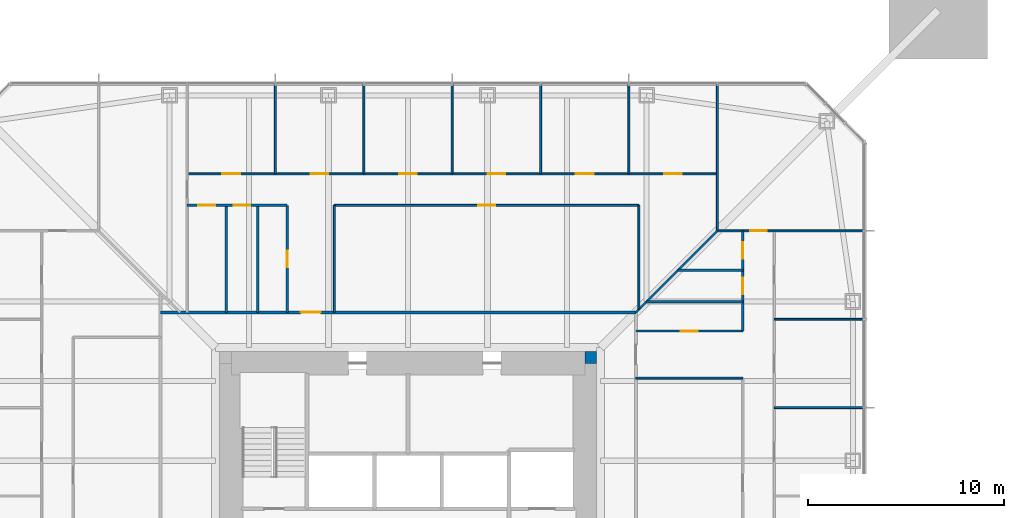
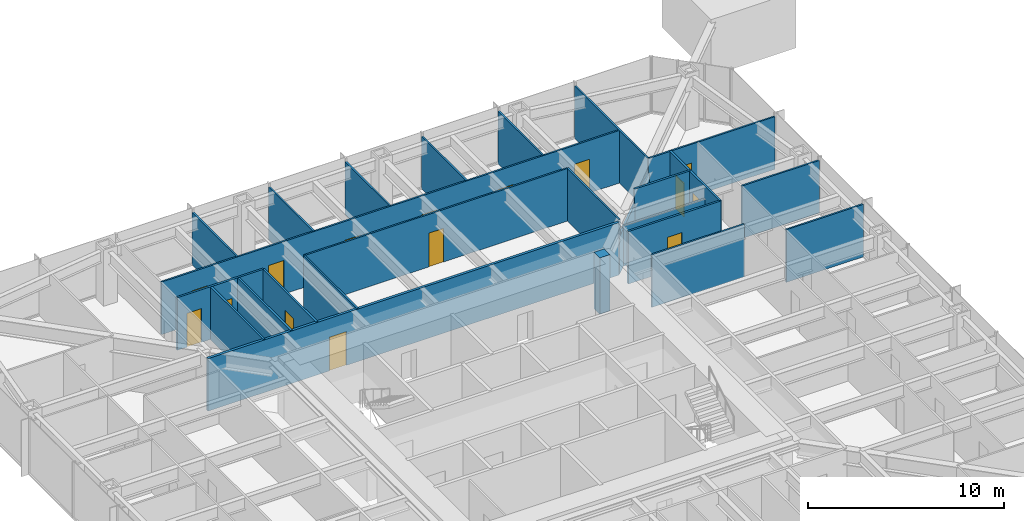
# One storey, part 17 of 26: 25 walls, 15 doors, 15 openings.
"""IFC4 building model written with IfcOpenShell, lengths in metres."""

from ifc_helpers import new_model, si_unit, direction, frame, frame_2d, origin, place, context, subcontext, project, spatial, rectangle, extrude, material, layer, layer_set, type_object, element, fill, save


model = new_model("IFC4")

# Units and contexts
model_context = context("Model", 3, precision=1e-05, world=origin(), true_north=direction((0.0, 1.0)))
body_context = subcontext(model_context, "Body", "Model", "MODEL_VIEW")
ifc_project = project(units=[si_unit("LENGTHUNIT", "METRE"), si_unit("AREAUNIT", "SQUARE_METRE"), si_unit("VOLUMEUNIT", "CUBIC_METRE"), si_unit("PLANEANGLEUNIT", "RADIAN"), si_unit("MASSUNIT", "GRAM", prefix="KILO")], contexts=[model_context])

# Site, building, storey
site_placement = place(None, origin())
site = spatial("IfcSite", under=ifc_project, at=site_placement, CompositionType="ELEMENT")
building_placement = place(site_placement, origin())
building = spatial("IfcBuilding", under=site, at=building_placement, Name="Iwan Alto Co-Living Towers", CompositionType="ELEMENT")
storey_placement = place(building_placement, frame((0.0, 0.0, 46.5)))
storey = spatial("IfcBuildingStorey", under=building, at=storey_placement, Name="L12", CompositionType="ELEMENT", Elevation=46.5)

# Wall, opening, door
ifc_material_1 = material(Name="Gypsum board")
ifc_layer_1 = layer(ifc_material_1, 0.02490234375, Name="Board", Category="Finish")
ifc_material_2 = material(Name="Steel ASTM A1003 ST33H cold-formed studs", Category="steel")
ifc_layer_2 = layer(ifc_material_2, 0.10009765625, Name="Studs", Category="Framing")
ifc_layer_3 = layer(ifc_material_1, 0.02490234375, Name="Board", Category="Finish")
ifc_layer_set_1 = layer_set([ifc_layer_1, ifc_layer_2, ifc_layer_3], Name="CORRIDOR WALL 150")
wall_type_1 = type_object("IfcWallType", Name="CORRIDOR WALL 150", PredefinedType="PARTITIONING", material=ifc_layer_set_1)
wall_1_placement = place(storey_placement, frame((-12.60009765625, 11.60009765625, 0.0), z_axis=(0.0, 0.0, 1.0), x_axis=(1.0, 0.0, 0.0)))
wall_1 = element("IfcWall", 1, at=wall_1_placement, inside=storey, type_object=wall_type_1, Name="Partition L12", PredefinedType="PARTITIONING", context=body_context, shape_type="SweptSolid", body=[
    extrude(rectangle(XDim=24.2001953125, YDim=0.14990234375, at=frame_2d((12.10009765625, 0.0))), origin(), (0.0, 0.0, 1.0), 3.27001953125),
])
opening_1_placement = place(wall_1_placement, frame((7.14990234375, 0.0, 0.0)))
opening_1 = element("IfcOpeningElement", 2, at=opening_1_placement, cuts=wall_1, Name="Opening D3", PredefinedType="OPENING", context=body_context, shape_type="SweptSolid", body=[
    extrude(rectangle(XDim=1.0, YDim=2.10009765625, at=frame_2d((0.5, 1.050048828125))), frame((0.0, 0.0849609375, 0.0), z_axis=(0.0, -1.0, 0.0), x_axis=(1.0, 0.0, 0.0)), (0.0, 0.0, 1.0), 0.169921875),
])
ifc_material_3 = material(Name="Steel frame with timber leaf", Category="steel")
door_type_1 = type_object("IfcDoorType", Name="FLAT ENTRANCE DOOR FD30S 1000X2100", OperationType="SINGLE_SWING_LEFT", PredefinedType="DOOR", material=ifc_material_3)
door_1_placement = place(opening_1_placement, origin())
door_1 = element("IfcDoor", 3, at=door_1_placement, inside=storey, type_object=door_type_1, Name="Cluster lounge and shared kitchen door L12", OperationType="SINGLE_SWING_LEFT", OverallHeight=2.10009765625, OverallWidth=1.0, PredefinedType="DOOR", context=body_context, shape_type="SweptSolid", body=[
    extrude(rectangle(XDim=1.0, YDim=2.10009765625, at=frame_2d((0.5, 1.050048828125))), frame((0.0, 0.02490234375, 0.0), z_axis=(0.0, -1.0, 0.0), x_axis=(1.0, 0.0, 0.0)), (0.0, 0.0, 1.0), 0.050048828125),
])
fill(opening_1, door_1)

# Walls
ifc_layer_4 = layer(ifc_material_1, 0.012451171875, Name="Board", Category="Finish")
ifc_layer_5 = layer(ifc_material_2, 0.074951171875, Name="Studs", Category="Framing")
ifc_layer_6 = layer(ifc_material_1, 0.012451171875, Name="Board", Category="Finish")
ifc_layer_set_2 = layer_set([ifc_layer_4, ifc_layer_5, ifc_layer_6], Name="PARTITION 100")
wall_type_2 = type_object("IfcWallType", Name="PARTITION 100", PredefinedType="PARTITIONING", material=ifc_layer_set_2)
wall_2_placement = place(storey_placement, frame((18.64990234375, 6.75, 0.0), z_axis=(0.0, 0.0, 1.0), x_axis=(1.0, 0.0, 0.0)))
element("IfcWall", 4, at=wall_2_placement, inside=storey, type_object=wall_type_2, Name="Partition L12", PredefinedType="PARTITIONING", context=body_context, shape_type="SweptSolid", body=[
    extrude(rectangle(XDim=4.5400390625, YDim=0.10009765625, at=frame_2d((2.27001953125, 0.0))), origin(), (0.0, 0.0, 1.0), 3.27001953125),
])
wall_3_placement = place(storey_placement, frame((11.60009765625, 8.25, 0.0), z_axis=(0.0, 0.0, 1.0), x_axis=(1.0, 0.0, 0.0)))
element("IfcWall", 5, at=wall_3_placement, inside=storey, type_object=wall_type_2, Name="Partition L12", PredefinedType="PARTITIONING", context=body_context, shape_type="SweptSolid", body=[
    extrude(rectangle(XDim=5.449951171875, YDim=0.10009765625, at=frame_2d((2.72509765625, 0.0))), origin(), (0.0, 0.0, 1.0), 3.27001953125),
])
wall_4_placement = place(storey_placement, frame((18.64990234375, 11.25, 0.0), z_axis=(0.0, 0.0, 1.0), x_axis=(1.0, 0.0, 0.0)))
element("IfcWall", 6, at=wall_4_placement, inside=storey, type_object=wall_type_2, Name="Partition L12", PredefinedType="PARTITIONING", context=body_context, shape_type="SweptSolid", body=[
    extrude(rectangle(XDim=4.5400390625, YDim=0.10009765625, at=frame_2d((2.27001953125, 0.0))), origin(), (0.0, 0.0, 1.0), 3.27001953125),
])

# Wall, opening, door
wall_5_placement = place(storey_placement, frame((15.75, 15.75, 0.0), z_axis=(0.0, 0.0, 1.0), x_axis=(1.0, 0.0, 0.0)))
wall_5 = element("IfcWall", 7, at=wall_5_placement, inside=storey, type_object=wall_type_2, Name="Partition L12", PredefinedType="PARTITIONING", context=body_context, shape_type="SweptSolid", body=[
    extrude(rectangle(XDim=7.43994140625, YDim=0.10009765625, at=frame_2d((3.719970703125, 0.0))), origin(), (0.0, 0.0, 1.0), 3.27001953125),
])
opening_2_placement = place(wall_5_placement, frame((1.675048828125, 0.0, 0.0)))
opening_2 = element("IfcOpeningElement", 8, at=opening_2_placement, cuts=wall_5, Name="Opening D2", PredefinedType="OPENING", context=body_context, shape_type="SweptSolid", body=[
    extrude(rectangle(XDim=0.85009765625, YDim=2.10009765625, at=frame_2d((0.425048828125, 1.050048828125))), frame((0.0, 0.06005859375, 0.0), z_axis=(0.0, -1.0, 0.0), x_axis=(1.0, 0.0, 0.0)), (0.0, 0.0, 1.0), 0.1201171875),
])
ifc_material_4 = material(Name="Timber leaf in steel frame", Category="steel")
door_type_2 = type_object("IfcDoorType", Name="ROOM DOOR 850X2100", OperationType="SINGLE_SWING_LEFT", PredefinedType="DOOR", material=ifc_material_4)
door_2_placement = place(opening_2_placement, frame((0.85009765625, 0.0, 0.0), z_axis=(0.0, 0.0, 1.0), x_axis=(-1.0, 0.0, 0.0)))
door_2 = element("IfcDoor", 9, at=door_2_placement, inside=storey, type_object=door_type_2, Name="Shared kitchen and lounge door L12", OperationType="SINGLE_SWING_RIGHT", OverallHeight=2.10009765625, OverallWidth=0.85009765625, PredefinedType="DOOR", context=body_context, shape_type="SweptSolid", body=[
    extrude(rectangle(XDim=0.85009765625, YDim=2.10009765625, at=frame_2d((0.425048828125, 1.050048828125))), frame((0.0, 0.02490234375, 0.0), z_axis=(0.0, -1.0, 0.0), x_axis=(1.0, 0.0, 0.0)), (0.0, 0.0, 1.0), 0.050048828125),
])
fill(opening_2, door_2)

wall_6_placement = place(storey_placement, frame((-3.75, 17.050048828125, 0.0), z_axis=(0.0, 0.0, 1.0), x_axis=(1.0, 0.0, 0.0)))
wall_6 = element("IfcWall", 10, at=wall_6_placement, inside=storey, type_object=wall_type_2, Name="Partition L12", PredefinedType="PARTITIONING", context=body_context, shape_type="SweptSolid", body=[
    extrude(rectangle(XDim=15.510009765625, YDim=0.10009765625, at=frame_2d((7.7548828125, 0.0))), origin(), (0.0, 0.0, 1.0), 3.27001953125),
])
opening_3_placement = place(wall_6_placement, frame((7.330078125, 0.0, 0.0)))
opening_3 = element("IfcOpeningElement", 11, at=opening_3_placement, cuts=wall_6, Name="Opening D2", PredefinedType="OPENING", context=body_context, shape_type="SweptSolid", body=[
    extrude(rectangle(XDim=0.85009765625, YDim=2.10009765625, at=frame_2d((0.425048828125, 1.050048828125))), frame((0.0, 0.06005859375, 0.0), z_axis=(0.0, -1.0, 0.0), x_axis=(1.0, 0.0, 0.0)), (0.0, 0.0, 1.0), 0.1201171875),
])
door_3_placement = place(opening_3_placement, frame((0.85009765625, 0.0, 0.0), z_axis=(0.0, 0.0, 1.0), x_axis=(-1.0, 0.0, 0.0)))
door_3 = element("IfcDoor", 12, at=door_3_placement, inside=storey, type_object=door_type_2, Name="Study lounge door L12", OperationType="SINGLE_SWING_RIGHT", OverallHeight=2.10009765625, OverallWidth=0.85009765625, PredefinedType="DOOR", context=body_context, shape_type="SweptSolid", body=[
    extrude(rectangle(XDim=0.85009765625, YDim=2.10009765625, at=frame_2d((0.425048828125, 1.050048828125))), frame((0.0, 0.02490234375, 0.0), z_axis=(0.0, -1.0, 0.0), x_axis=(1.0, 0.0, 0.0)), (0.0, 0.0, 1.0), 0.050048828125),
])
fill(opening_3, door_3)

# Wall, openings, doors
wall_7_placement = place(storey_placement, frame((-11.25, 18.64990234375, 0.0), z_axis=(0.0, 0.0, 1.0), x_axis=(1.0, 0.0, 0.0)))
wall_7 = element("IfcWall", 13, at=wall_7_placement, inside=storey, type_object=wall_type_2, Name="Partition L12", PredefinedType="PARTITIONING", context=body_context, shape_type="SweptSolid", body=[
    extrude(rectangle(XDim=27.0, YDim=0.10009765625, at=frame_2d((13.5, 0.0))), origin(), (0.0, 0.0, 1.0), 3.27001953125),
])
opening_4_placement = place(wall_7_placement, frame((24.300048828125, 0.0, 0.0)))
opening_4 = element("IfcOpeningElement", 14, at=opening_4_placement, cuts=wall_7, Name="Opening D1", PredefinedType="OPENING", context=body_context, shape_type="SweptSolid", body=[
    extrude(rectangle(XDim=0.89990234375, YDim=2.10009765625, at=frame_2d((0.449951171875, 1.050048828125))), frame((0.0, 0.06005859375, 0.0), z_axis=(0.0, -1.0, 0.0), x_axis=(1.0, 0.0, 0.0)), (0.0, 0.0, 1.0), 0.1201171875),
])
opening_5_placement = place(wall_7_placement, frame((19.800048828125, 0.0, 0.0)))
opening_5 = element("IfcOpeningElement", 15, at=opening_5_placement, cuts=wall_7, Name="Opening D1", PredefinedType="OPENING", context=body_context, shape_type="SweptSolid", body=[
    extrude(rectangle(XDim=0.89990234375, YDim=2.10009765625, at=frame_2d((0.449951171875, 1.050048828125))), frame((0.0, 0.06005859375, 0.0), z_axis=(0.0, -1.0, 0.0), x_axis=(1.0, 0.0, 0.0)), (0.0, 0.0, 1.0), 0.1201171875),
])
opening_6_placement = place(wall_7_placement, frame((15.300048828125, 0.0, 0.0)))
opening_6 = element("IfcOpeningElement", 16, at=opening_6_placement, cuts=wall_7, Name="Opening D1", PredefinedType="OPENING", context=body_context, shape_type="SweptSolid", body=[
    extrude(rectangle(XDim=0.89990234375, YDim=2.10009765625, at=frame_2d((0.449951171875, 1.050048828125))), frame((0.0, 0.06005859375, 0.0), z_axis=(0.0, -1.0, 0.0), x_axis=(1.0, 0.0, 0.0)), (0.0, 0.0, 1.0), 0.1201171875),
])
opening_7_placement = place(wall_7_placement, frame((10.800048828125, 0.0, 0.0)))
opening_7 = element("IfcOpeningElement", 17, at=opening_7_placement, cuts=wall_7, Name="Opening D1", PredefinedType="OPENING", context=body_context, shape_type="SweptSolid", body=[
    extrude(rectangle(XDim=0.89990234375, YDim=2.10009765625, at=frame_2d((0.449951171875, 1.050048828125))), frame((0.0, 0.06005859375, 0.0), z_axis=(0.0, -1.0, 0.0), x_axis=(1.0, 0.0, 0.0)), (0.0, 0.0, 1.0), 0.1201171875),
])
opening_8_placement = place(wall_7_placement, frame((6.300048828125, 0.0, 0.0)))
opening_8 = element("IfcOpeningElement", 18, at=opening_8_placement, cuts=wall_7, Name="Opening D1", PredefinedType="OPENING", context=body_context, shape_type="SweptSolid", body=[
    extrude(rectangle(XDim=0.89990234375, YDim=2.10009765625, at=frame_2d((0.449951171875, 1.050048828125))), frame((0.0, 0.06005859375, 0.0), z_axis=(0.0, -1.0, 0.0), x_axis=(1.0, 0.0, 0.0)), (0.0, 0.0, 1.0), 0.1201171875),
])
opening_9_placement = place(wall_7_placement, frame((1.800048828125, 0.0, 0.0)))
opening_9 = element("IfcOpeningElement", 19, at=opening_9_placement, cuts=wall_7, Name="Opening D1", PredefinedType="OPENING", context=body_context, shape_type="SweptSolid", body=[
    extrude(rectangle(XDim=0.89990234375, YDim=2.10009765625, at=frame_2d((0.449951171875, 1.050048828125))), frame((0.0, 0.06005859375, 0.0), z_axis=(0.0, -1.0, 0.0), x_axis=(1.0, 0.0, 0.0)), (0.0, 0.0, 1.0), 0.1201171875),
])
ifc_material_5 = material(Name="Timber leaf in steel frame", Category="steel")
door_type_3 = type_object("IfcDoorType", Name="BEDROOM DOOR 900X2100", OperationType="SINGLE_SWING_LEFT", PredefinedType="DOOR", material=ifc_material_5)
door_4_placement = place(opening_4_placement, frame((0.89990234375, 0.0, 0.0), z_axis=(0.0, 0.0, 1.0), x_axis=(-1.0, 0.0, 0.0)))
door_4 = element("IfcDoor", 20, at=door_4_placement, inside=storey, type_object=door_type_3, Name="Study bedroom door L12", OperationType="SINGLE_SWING_LEFT", OverallHeight=2.10009765625, OverallWidth=0.89990234375, PredefinedType="DOOR", context=body_context, shape_type="SweptSolid", body=[
    extrude(rectangle(XDim=0.89990234375, YDim=2.10009765625, at=frame_2d((0.449951171875, 1.050048828125))), frame((0.0, 0.02490234375, 0.0), z_axis=(0.0, -1.0, 0.0), x_axis=(1.0, 0.0, 0.0)), (0.0, 0.0, 1.0), 0.050048828125),
])
fill(opening_4, door_4)
door_5_placement = place(opening_5_placement, frame((0.89990234375, 0.0, 0.0), z_axis=(0.0, 0.0, 1.0), x_axis=(-1.0, 0.0, 0.0)))
door_5 = element("IfcDoor", 21, at=door_5_placement, inside=storey, type_object=door_type_3, Name="Study bedroom door L12", OperationType="SINGLE_SWING_LEFT", OverallHeight=2.10009765625, OverallWidth=0.89990234375, PredefinedType="DOOR", context=body_context, shape_type="SweptSolid", body=[
    extrude(rectangle(XDim=0.89990234375, YDim=2.10009765625, at=frame_2d((0.449951171875, 1.050048828125))), frame((0.0, 0.02490234375, 0.0), z_axis=(0.0, -1.0, 0.0), x_axis=(1.0, 0.0, 0.0)), (0.0, 0.0, 1.0), 0.050048828125),
])
fill(opening_5, door_5)
door_6_placement = place(opening_6_placement, frame((0.89990234375, 0.0, 0.0), z_axis=(0.0, 0.0, 1.0), x_axis=(-1.0, 0.0, 0.0)))
door_6 = element("IfcDoor", 22, at=door_6_placement, inside=storey, type_object=door_type_3, Name="Study bedroom door L12", OperationType="SINGLE_SWING_LEFT", OverallHeight=2.10009765625, OverallWidth=0.89990234375, PredefinedType="DOOR", context=body_context, shape_type="SweptSolid", body=[
    extrude(rectangle(XDim=0.89990234375, YDim=2.10009765625, at=frame_2d((0.449951171875, 1.050048828125))), frame((0.0, 0.02490234375, 0.0), z_axis=(0.0, -1.0, 0.0), x_axis=(1.0, 0.0, 0.0)), (0.0, 0.0, 1.0), 0.050048828125),
])
fill(opening_6, door_6)
door_7_placement = place(opening_7_placement, frame((0.89990234375, 0.0, 0.0), z_axis=(0.0, 0.0, 1.0), x_axis=(-1.0, 0.0, 0.0)))
door_7 = element("IfcDoor", 23, at=door_7_placement, inside=storey, type_object=door_type_3, Name="Study bedroom door L12", OperationType="SINGLE_SWING_RIGHT", OverallHeight=2.10009765625, OverallWidth=0.89990234375, PredefinedType="DOOR", context=body_context, shape_type="SweptSolid", body=[
    extrude(rectangle(XDim=0.89990234375, YDim=2.10009765625, at=frame_2d((0.449951171875, 1.050048828125))), frame((0.0, 0.02490234375, 0.0), z_axis=(0.0, -1.0, 0.0), x_axis=(1.0, 0.0, 0.0)), (0.0, 0.0, 1.0), 0.050048828125),
])
fill(opening_7, door_7)
door_8_placement = place(opening_8_placement, frame((0.89990234375, 0.0, 0.0), z_axis=(0.0, 0.0, 1.0), x_axis=(-1.0, 0.0, 0.0)))
door_8 = element("IfcDoor", 24, at=door_8_placement, inside=storey, type_object=door_type_3, Name="Study bedroom door L12", OperationType="SINGLE_SWING_RIGHT", OverallHeight=2.10009765625, OverallWidth=0.89990234375, PredefinedType="DOOR", context=body_context, shape_type="SweptSolid", body=[
    extrude(rectangle(XDim=0.89990234375, YDim=2.10009765625, at=frame_2d((0.449951171875, 1.050048828125))), frame((0.0, 0.02490234375, 0.0), z_axis=(0.0, -1.0, 0.0), x_axis=(1.0, 0.0, 0.0)), (0.0, 0.0, 1.0), 0.050048828125),
])
fill(opening_8, door_8)
door_9_placement = place(opening_9_placement, frame((0.89990234375, 0.0, 0.0), z_axis=(0.0, 0.0, 1.0), x_axis=(-1.0, 0.0, 0.0)))
door_9 = element("IfcDoor", 25, at=door_9_placement, inside=storey, type_object=door_type_3, Name="Study bedroom door L12", OperationType="SINGLE_SWING_RIGHT", OverallHeight=2.10009765625, OverallWidth=0.89990234375, PredefinedType="DOOR", context=body_context, shape_type="SweptSolid", body=[
    extrude(rectangle(XDim=0.89990234375, YDim=2.10009765625, at=frame_2d((0.449951171875, 1.050048828125))), frame((0.0, 0.02490234375, 0.0), z_axis=(0.0, -1.0, 0.0), x_axis=(1.0, 0.0, 0.0)), (0.0, 0.0, 1.0), 0.050048828125),
])
fill(opening_9, door_9)

# Walls
wall_8_placement = place(storey_placement, frame((15.75, 15.75, 0.0), z_axis=(0.0, 0.0, 1.0), x_axis=(0.0, 1.0, 0.0)))
element("IfcWall", 26, at=wall_8_placement, inside=storey, type_object=wall_type_2, Name="Partition L12", PredefinedType="PARTITIONING", context=body_context, shape_type="SweptSolid", body=[
    extrude(rectangle(XDim=7.43994140625, YDim=0.10009765625, at=frame_2d((3.719970703125, 0.0))), origin(), (0.0, 0.0, 1.0), 3.27001953125),
])
wall_9_placement = place(storey_placement, frame((11.760009765625, 11.760009765625, 0.0), z_axis=(0.0, 0.0, 1.0), x_axis=(0.0, 1.0, 0.0)))
element("IfcWall", 27, at=wall_9_placement, inside=storey, type_object=wall_type_2, Name="Partition L12", PredefinedType="PARTITIONING", context=body_context, shape_type="SweptSolid", body=[
    extrude(rectangle(XDim=5.2900390625, YDim=0.10009765625, at=frame_2d((2.64501953125, 0.0))), origin(), (0.0, 0.0, 1.0), 3.27001953125),
])
for number, where, z_axis, x_axis, name in (
    (28, (11.25, 18.64990234375, 0.0), (0.0, 0.0, 1.0), (0.0, 1.0, 0.0), "Partition L12"),
    (29, (6.75, 18.64990234375, 0.0), (0.0, 0.0, 1.0), (0.0, 1.0, 0.0), "Partition L12"),
    (30, (2.25, 18.64990234375, 0.0), (0.0, 0.0, 1.0), (0.0, 1.0, 0.0), "Partition L12"),
    (31, (-2.25, 18.64990234375, 0.0), (0.0, 0.0, 1.0), (0.0, 1.0, 0.0), "Partition L12"),
):
    element("IfcWall", number, at=place(storey_placement, frame(where, z_axis=z_axis, x_axis=x_axis)), inside=storey, type_object=wall_type_2, Name=name, PredefinedType="PARTITIONING", context=body_context, shape_type="SweptSolid", body=[
        extrude(rectangle(XDim=4.5400390625, YDim=0.10009765625, at=frame_2d((2.27001953125, 0.0))), origin(), (0.0, 0.0, 1.0), 3.27001953125),
    ])
wall_10_placement = place(storey_placement, frame((-3.75, 11.60009765625, 0.0), z_axis=(0.0, 0.0, 1.0), x_axis=(0.0, 1.0, 0.0)))
element("IfcWall", 32, at=wall_10_placement, inside=storey, type_object=wall_type_2, Name="Partition L12", PredefinedType="PARTITIONING", context=body_context, shape_type="SweptSolid", body=[
    extrude(rectangle(XDim=5.449951171875, YDim=0.10009765625, at=frame_2d((2.72509765625, 0.0))), origin(), (0.0, 0.0, 1.0), 3.27001953125),
])
wall_11_placement = place(storey_placement, frame((-6.75, 18.64990234375, 0.0), z_axis=(0.0, 0.0, 1.0), x_axis=(0.0, 1.0, 0.0)))
element("IfcWall", 33, at=wall_11_placement, inside=storey, type_object=wall_type_2, Name="Partition L12", PredefinedType="PARTITIONING", context=body_context, shape_type="SweptSolid", body=[
    extrude(rectangle(XDim=4.5400390625, YDim=0.10009765625, at=frame_2d((2.27001953125, 0.0))), origin(), (0.0, 0.0, 1.0), 3.27001953125),
])
ifc_material_6 = material(Name="Concrete f'c 70 MPa", Category="concrete")
ifc_layer_7 = layer(ifc_material_6, 0.60009765625)
ifc_layer_set_3 = layer_set([ifc_layer_7], Name="T1 CORE CORNER FILL 600")
wall_type_3 = type_object("IfcWallType", Name="T1 CORE CORNER FILL 600", PredefinedType="SOLIDWALL", material=ifc_layer_set_3)
wall_12_placement = place(storey_placement, frame((9.0, 9.300048828125, 0.0), z_axis=(0.0, 0.0, 1.0), x_axis=(1.0, 0.0, 0.0)))
element("IfcWall", 34, at=wall_12_placement, inside=storey, type_object=wall_type_3, Name="T1 core corner NE L12", PredefinedType="SOLIDWALL", context=body_context, shape_type="SweptSolid", body=[
    extrude(rectangle(XDim=0.60009765625, YDim=0.60009765625, at=frame_2d((0.300048828125, 0.0))), origin(), (0.0, 0.0, 1.0), 3.5),
])

# Wall, opening, door
ifc_material_7 = material(Name="Cement board")
ifc_layer_8 = layer(ifc_material_7, 0.012451171875, Name="Board", Category="Finish")
ifc_layer_9 = layer(ifc_material_2, 0.094970703125, Name="Studs", Category="Framing")
ifc_layer_10 = layer(ifc_material_7, 0.012451171875, Name="Board", Category="Finish")
ifc_layer_set_4 = layer_set([ifc_layer_8, ifc_layer_9, ifc_layer_10], Name="WET AREA PARTITION 120")
wall_type_4 = type_object("IfcWallType", Name="WET AREA PARTITION 120", PredefinedType="PARTITIONING", material=ifc_layer_set_4)
wall_13_placement = place(storey_placement, frame((11.60009765625, 10.64990234375, 0.0), z_axis=(0.0, 0.0, 1.0), x_axis=(1.0, 0.0, 0.0)))
wall_13 = element("IfcWall", 35, at=wall_13_placement, inside=storey, type_object=wall_type_4, Name="Partition L12", PredefinedType="PARTITIONING", context=body_context, shape_type="SweptSolid", body=[
    extrude(rectangle(XDim=5.449951171875, YDim=0.1201171875, at=frame_2d((2.72509765625, 0.0))), origin(), (0.0, 0.0, 1.0), 3.27001953125),
])
opening_10_placement = place(wall_13_placement, frame((2.300048828125, 0.0, 0.0)))
opening_10 = element("IfcOpeningElement", 36, at=opening_10_placement, cuts=wall_13, Name="Opening D2", PredefinedType="OPENING", context=body_context, shape_type="SweptSolid", body=[
    extrude(rectangle(XDim=0.85009765625, YDim=2.10009765625, at=frame_2d((0.425048828125, 1.050048828125))), frame((0.0, 0.070068359375, 0.0), z_axis=(0.0, -1.0, 0.0), x_axis=(1.0, 0.0, 0.0)), (0.0, 0.0, 1.0), 0.14013671875),
])
door_10_placement = place(opening_10_placement, frame((0.85009765625, 0.0, 0.0), z_axis=(0.0, 0.0, 1.0), x_axis=(-1.0, 0.0, 0.0)))
door_10 = element("IfcDoor", 37, at=door_10_placement, inside=storey, type_object=door_type_2, Name="Bathroom door L12", OperationType="SINGLE_SWING_RIGHT", OverallHeight=2.10009765625, OverallWidth=0.85009765625, PredefinedType="DOOR", context=body_context, shape_type="SweptSolid", body=[
    extrude(rectangle(XDim=0.85009765625, YDim=2.10009765625, at=frame_2d((0.425048828125, 1.050048828125))), frame((0.0, 0.02490234375, 0.0), z_axis=(0.0, -1.0, 0.0), x_axis=(1.0, 0.0, 0.0)), (0.0, 0.0, 1.0), 0.050048828125),
])
fill(opening_10, door_10)

# Walls
wall_14_placement = place(storey_placement, frame((12.14990234375, 12.14990234375, 0.0), z_axis=(0.0, 0.0, 1.0), x_axis=(1.0, 0.0, 0.0)))
element("IfcWall", 38, at=wall_14_placement, inside=storey, type_object=wall_type_4, Name="Partition L12", PredefinedType="PARTITIONING", context=body_context, shape_type="SweptSolid", body=[
    extrude(rectangle(XDim=4.900146484375, YDim=0.1201171875, at=frame_2d((2.4501953125, 0.0))), origin(), (0.0, 0.0, 1.0), 2.508056640625),
])
wall_15_placement = place(storey_placement, frame((13.75, 13.75, 0.0), z_axis=(0.0, 0.0, 1.0), x_axis=(1.0, 0.0, 0.0)))
element("IfcWall", 39, at=wall_15_placement, inside=storey, type_object=wall_type_4, Name="Partition L12", PredefinedType="PARTITIONING", context=body_context, shape_type="SweptSolid", body=[
    extrude(rectangle(XDim=3.300048828125, YDim=0.1201171875, at=frame_2d((1.64990234375, 0.0))), origin(), (0.0, 0.0, 1.0), 3.27001953125),
])

# Wall, openings, doors
wall_16_placement = place(storey_placement, frame((-11.25, 17.050048828125, 0.0), z_axis=(0.0, 0.0, 1.0), x_axis=(1.0, 0.0, 0.0)))
wall_16 = element("IfcWall", 40, at=wall_16_placement, inside=storey, type_object=wall_type_4, Name="Partition L12", PredefinedType="PARTITIONING", context=body_context, shape_type="SweptSolid", body=[
    extrude(rectangle(XDim=5.10009765625, YDim=0.1201171875, at=frame_2d((2.550048828125, 0.0))), origin(), (0.0, 0.0, 1.0), 3.27001953125),
])
opening_11_placement = place(wall_16_placement, frame((2.375, 0.0, 0.0)))
opening_11 = element("IfcOpeningElement", 41, at=opening_11_placement, cuts=wall_16, Name="Opening D2", PredefinedType="OPENING", context=body_context, shape_type="SweptSolid", body=[
    extrude(rectangle(XDim=0.85009765625, YDim=2.10009765625, at=frame_2d((0.425048828125, 1.050048828125))), frame((0.0, 0.070068359375, 0.0), z_axis=(0.0, -1.0, 0.0), x_axis=(1.0, 0.0, 0.0)), (0.0, 0.0, 1.0), 0.14013671875),
])
opening_12_placement = place(wall_16_placement, frame((0.574951171875, 0.0, 0.0)))
opening_12 = element("IfcOpeningElement", 42, at=opening_12_placement, cuts=wall_16, Name="Opening D2", PredefinedType="OPENING", context=body_context, shape_type="SweptSolid", body=[
    extrude(rectangle(XDim=0.85009765625, YDim=2.10009765625, at=frame_2d((0.425048828125, 1.050048828125))), frame((0.0, 0.070068359375, 0.0), z_axis=(0.0, -1.0, 0.0), x_axis=(1.0, 0.0, 0.0)), (0.0, 0.0, 1.0), 0.14013671875),
])
door_11_placement = place(opening_11_placement, origin())
door_11 = element("IfcDoor", 43, at=door_11_placement, inside=storey, type_object=door_type_2, Name="Accessible bathroom door L12", OperationType="SINGLE_SWING_LEFT", OverallHeight=2.10009765625, OverallWidth=0.85009765625, PredefinedType="DOOR", context=body_context, shape_type="SweptSolid", body=[
    extrude(rectangle(XDim=0.85009765625, YDim=2.10009765625, at=frame_2d((0.425048828125, 1.050048828125))), frame((0.0, 0.02490234375, 0.0), z_axis=(0.0, -1.0, 0.0), x_axis=(1.0, 0.0, 0.0)), (0.0, 0.0, 1.0), 0.050048828125),
])
fill(opening_11, door_11)
door_12_placement = place(opening_12_placement, origin())
door_12 = element("IfcDoor", 44, at=door_12_placement, inside=storey, type_object=door_type_2, Name="Laundry door L12", OperationType="SINGLE_SWING_LEFT", OverallHeight=2.10009765625, OverallWidth=0.85009765625, PredefinedType="DOOR", context=body_context, shape_type="SweptSolid", body=[
    extrude(rectangle(XDim=0.85009765625, YDim=2.10009765625, at=frame_2d((0.425048828125, 1.050048828125))), frame((0.0, 0.02490234375, 0.0), z_axis=(0.0, -1.0, 0.0), x_axis=(1.0, 0.0, 0.0)), (0.0, 0.0, 1.0), 0.050048828125),
])
fill(opening_12, door_12)

# Wall
wall_17_placement = place(storey_placement, frame((11.60009765625, 11.60009765625, 0.0), z_axis=(0.0, 0.0, 1.0), x_axis=(0.707106781187, 0.707106781187, 0.0)))
element("IfcWall", 45, at=wall_17_placement, inside=storey, type_object=wall_type_4, Name="Partition L12", PredefinedType="PARTITIONING", context=body_context, shape_type="SweptSolid", body=[
    extrude(rectangle(XDim=5.868896484375, YDim=0.1201171875, at=frame_2d((2.9345703125, 0.0))), origin(), (0.0, 0.0, 1.0), 2.343017578125),
])

# Wall, openings, doors
wall_18_placement = place(storey_placement, frame((17.050048828125, 10.64990234375, 0.0), z_axis=(0.0, 0.0, 1.0), x_axis=(0.0, 1.0, 0.0)))
wall_18 = element("IfcWall", 46, at=wall_18_placement, inside=storey, type_object=wall_type_4, Name="Partition L12", PredefinedType="PARTITIONING", context=body_context, shape_type="SweptSolid", body=[
    extrude(rectangle(XDim=5.10009765625, YDim=0.1201171875, at=frame_2d((2.550048828125, 0.0))), origin(), (0.0, 0.0, 1.0), 3.27001953125),
])
opening_13_placement = place(wall_18_placement, frame((1.875, 0.0, 0.0)))
opening_13 = element("IfcOpeningElement", 47, at=opening_13_placement, cuts=wall_18, Name="Opening D2", PredefinedType="OPENING", context=body_context, shape_type="SweptSolid", body=[
    extrude(rectangle(XDim=0.85009765625, YDim=2.10009765625, at=frame_2d((0.425048828125, 1.050048828125))), frame((0.0, 0.070068359375, 0.0), z_axis=(0.0, -1.0, 0.0), x_axis=(1.0, 0.0, 0.0)), (0.0, 0.0, 1.0), 0.14013671875),
])
opening_14_placement = place(wall_18_placement, frame((3.675048828125, 0.0, 0.0)))
opening_14 = element("IfcOpeningElement", 48, at=opening_14_placement, cuts=wall_18, Name="Opening D2", PredefinedType="OPENING", context=body_context, shape_type="SweptSolid", body=[
    extrude(rectangle(XDim=0.85009765625, YDim=2.10009765625, at=frame_2d((0.425048828125, 1.050048828125))), frame((0.0, 0.070068359375, 0.0), z_axis=(0.0, -1.0, 0.0), x_axis=(1.0, 0.0, 0.0)), (0.0, 0.0, 1.0), 0.14013671875),
])
door_13_placement = place(opening_13_placement, frame((0.85009765625, 0.0, 0.0), z_axis=(0.0, 0.0, 1.0), x_axis=(-1.0, 0.0, 0.0)))
door_13 = element("IfcDoor", 49, at=door_13_placement, inside=storey, type_object=door_type_2, Name="Accessible bathroom door L12", OperationType="SINGLE_SWING_LEFT", OverallHeight=2.10009765625, OverallWidth=0.85009765625, PredefinedType="DOOR", context=body_context, shape_type="SweptSolid", body=[
    extrude(rectangle(XDim=0.85009765625, YDim=2.10009765625, at=frame_2d((0.425048828125, 1.050048828125))), frame((0.0, 0.02490234375, 0.0), z_axis=(0.0, -1.0, 0.0), x_axis=(1.0, 0.0, 0.0)), (0.0, 0.0, 1.0), 0.050048828125),
])
fill(opening_13, door_13)
door_14_placement = place(opening_14_placement, frame((0.85009765625, 0.0, 0.0), z_axis=(0.0, 0.0, 1.0), x_axis=(-1.0, 0.0, 0.0)))
door_14 = element("IfcDoor", 50, at=door_14_placement, inside=storey, type_object=door_type_2, Name="Laundry door L12", OperationType="SINGLE_SWING_LEFT", OverallHeight=2.10009765625, OverallWidth=0.85009765625, PredefinedType="DOOR", context=body_context, shape_type="SweptSolid", body=[
    extrude(rectangle(XDim=0.85009765625, YDim=2.10009765625, at=frame_2d((0.425048828125, 1.050048828125))), frame((0.0, 0.02490234375, 0.0), z_axis=(0.0, -1.0, 0.0), x_axis=(1.0, 0.0, 0.0)), (0.0, 0.0, 1.0), 0.050048828125),
])
fill(opening_14, door_14)

# Wall, opening, door
wall_19_placement = place(storey_placement, frame((-6.14990234375, 11.60009765625, 0.0), z_axis=(0.0, 0.0, 1.0), x_axis=(0.0, 1.0, 0.0)))
wall_19 = element("IfcWall", 51, at=wall_19_placement, inside=storey, type_object=wall_type_4, Name="Partition L12", PredefinedType="PARTITIONING", context=body_context, shape_type="SweptSolid", body=[
    extrude(rectangle(XDim=5.449951171875, YDim=0.1201171875, at=frame_2d((2.72509765625, 0.0))), origin(), (0.0, 0.0, 1.0), 3.27001953125),
])
opening_15_placement = place(wall_19_placement, frame((2.300048828125, 0.0, 0.0)))
opening_15 = element("IfcOpeningElement", 52, at=opening_15_placement, cuts=wall_19, Name="Opening D2", PredefinedType="OPENING", context=body_context, shape_type="SweptSolid", body=[
    extrude(rectangle(XDim=0.85009765625, YDim=2.10009765625, at=frame_2d((0.425048828125, 1.050048828125))), frame((0.0, 0.070068359375, 0.0), z_axis=(0.0, -1.0, 0.0), x_axis=(1.0, 0.0, 0.0)), (0.0, 0.0, 1.0), 0.14013671875),
])
door_15_placement = place(opening_15_placement, frame((0.85009765625, 0.0, 0.0), z_axis=(0.0, 0.0, 1.0), x_axis=(-1.0, 0.0, 0.0)))
door_15 = element("IfcDoor", 53, at=door_15_placement, inside=storey, type_object=door_type_2, Name="Bathroom door L12", OperationType="SINGLE_SWING_RIGHT", OverallHeight=2.10009765625, OverallWidth=0.85009765625, PredefinedType="DOOR", context=body_context, shape_type="SweptSolid", body=[
    extrude(rectangle(XDim=0.85009765625, YDim=2.10009765625, at=frame_2d((0.425048828125, 1.050048828125))), frame((0.0, 0.02490234375, 0.0), z_axis=(0.0, -1.0, 0.0), x_axis=(1.0, 0.0, 0.0)), (0.0, 0.0, 1.0), 0.050048828125),
])
fill(opening_15, door_15)

# Walls
for number, where, z_axis, x_axis, name in (
    (54, (-7.64990234375, 11.60009765625, 0.0), (0.0, 0.0, 1.0), (0.0, 1.0, 0.0), "Partition L12"),
    (55, (-9.25, 11.60009765625, 0.0), (0.0, 0.0, 1.0), (0.0, 1.0, 0.0), "Partition L12"),
):
    element("IfcWall", number, at=place(storey_placement, frame(where, z_axis=z_axis, x_axis=x_axis)), inside=storey, type_object=wall_type_4, Name=name, PredefinedType="PARTITIONING", context=body_context, shape_type="SweptSolid", body=[
        extrude(rectangle(XDim=5.449951171875, YDim=0.1201171875, at=frame_2d((2.72509765625, 0.0))), origin(), (0.0, 0.0, 1.0), 3.27001953125),
    ])

save(model, "model.ifc")
